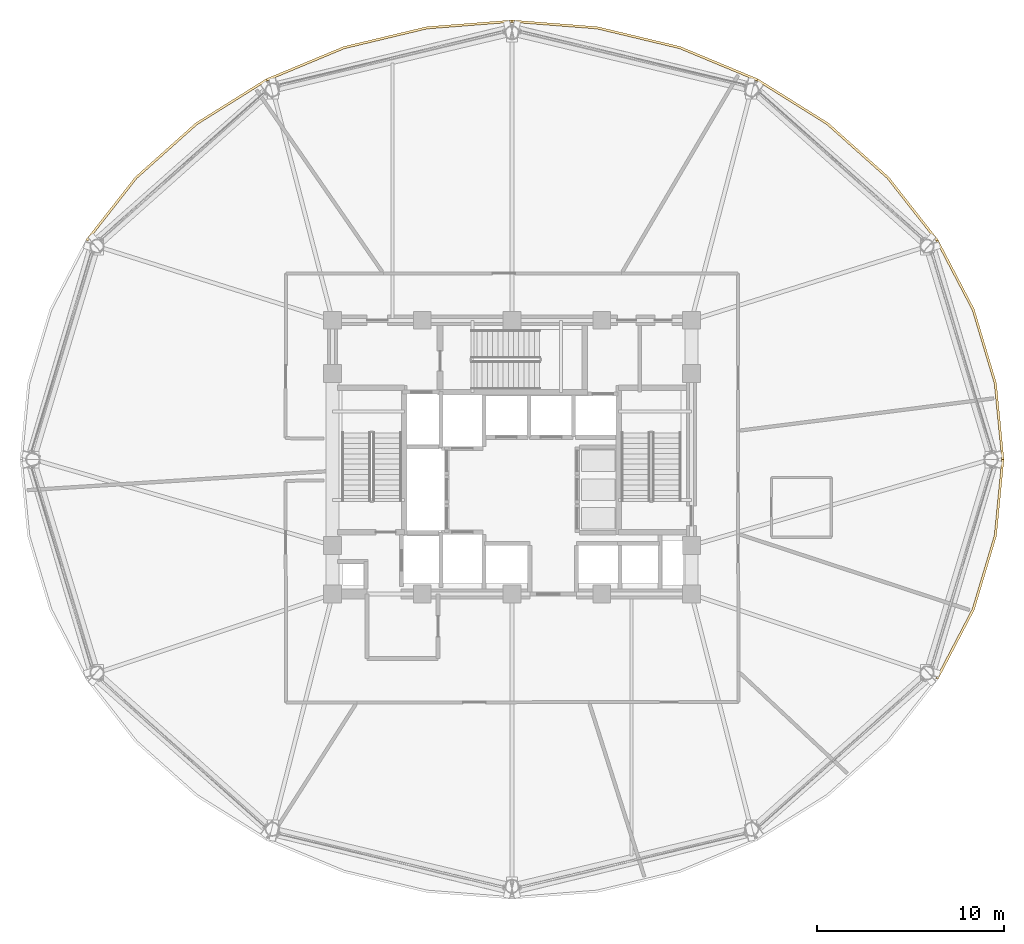
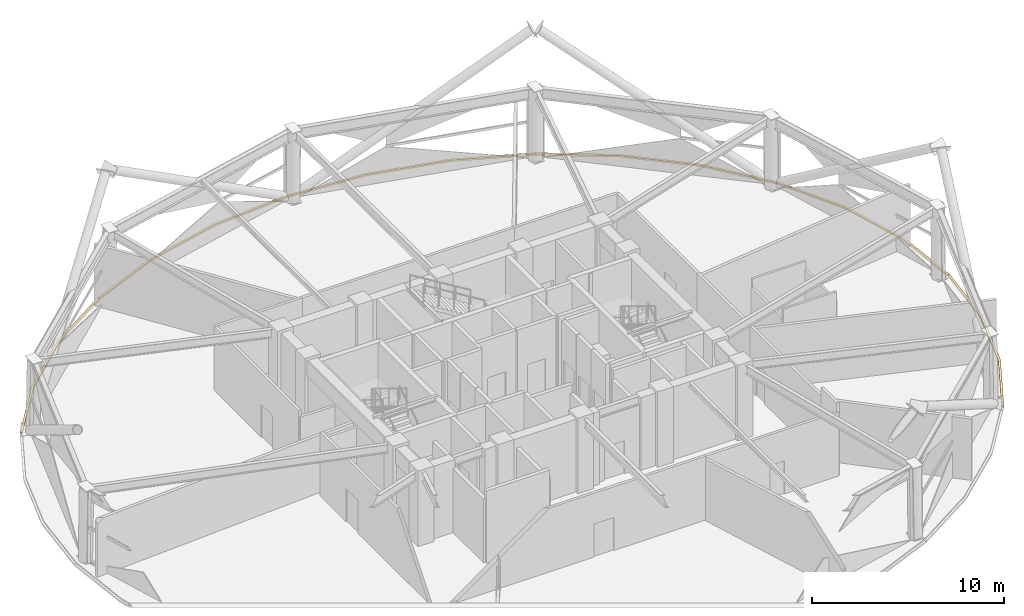
# One storey, part 16 of 17: 6 coverings.
"""IFC4 building model written with IfcOpenShell, lengths in metres."""

from ifc_helpers import new_model, si_unit, direction, frame, origin, place, context, subcontext, project, spatial, polyline, outline, extrude, material, layer, layer_set, type_object, element, save


model = new_model("IFC4")

# Units and contexts
model_context = context("Model", 3, precision=1e-05, world=origin(), true_north=direction((0.0, 1.0)))
body_context = subcontext(model_context, "Body", "Model", "MODEL_VIEW")
ifc_project = project(units=[si_unit("LENGTHUNIT", "METRE"), si_unit("AREAUNIT", "SQUARE_METRE"), si_unit("VOLUMEUNIT", "CUBIC_METRE"), si_unit("PLANEANGLEUNIT", "RADIAN"), si_unit("MASSUNIT", "GRAM", prefix="KILO")], contexts=[model_context])

# Site, building, storey
site_placement = place(None, origin())
site = spatial("IfcSite", under=ifc_project, at=site_placement, CompositionType="ELEMENT")
building_placement = place(site_placement, origin())
building = spatial("IfcBuilding", under=site, at=building_placement, Name="Vantalir Tower", CompositionType="ELEMENT")
storey_placement = place(building_placement, frame((0.0, 0.0, 96.14990234375)))
storey = spatial("IfcBuildingStorey", under=building, at=storey_placement, Name="L23", CompositionType="ELEMENT", Elevation=96.14990234375)

# Coverings
ifc_material = material(Name="Anodised champagne aluminium sill fascia", Category="aluminium")
ifc_layer = layer(ifc_material, 0.125)
ifc_layer_set = layer_set([ifc_layer], Name="Anodised champagne aluminium sill fascia")
covering_type = type_object("IfcCoveringType", Name="COV-SLAB-FASCIA-125", PredefinedType="CLADDING", material=ifc_layer_set)
covering_1_placement = place(storey_placement, frame((0.0, 0.0, -0.179931640625)))
element("IfcCovering", 1, at=covering_1_placement, inside=storey, type_object=covering_type, Name="L23 Perimeter Slab-Edge Sill Fascia 01", PredefinedType="CLADDING", context=body_context, shape_type="SweptSolid", body=[
    extrude(outline(polyline([(57.824951171875, 25.0), (57.425048828125, 29.083984375), (56.237060546875, 33.0439453125), (54.298095703125, 36.759033203125), (54.18994140625, 36.696044921875), (56.1201171875, 33.0009765625), (57.302001953125, 29.06201171875), (57.699951171875, 25.0), (57.824951171875, 25.0)])), origin(), (0.0, 0.0, 1.0), 0.10498046875),
])
covering_2_placement = place(storey_placement, frame((0.0, 0.0, -0.179931640625)))
element("IfcCovering", 2, at=covering_2_placement, inside=storey, type_object=covering_type, Name="L23 Perimeter Slab-Edge Sill Fascia 02", PredefinedType="CLADDING", context=body_context, shape_type="SweptSolid", body=[
    extrude(outline(polyline([(54.298095703125, 36.759033203125), (51.666015625, 40.116943359375), (48.4208984375, 43.01611328125), (44.6630859375, 45.366943359375), (44.60009765625, 45.259033203125), (48.341064453125, 42.919921875), (51.570068359375, 40.037109375), (54.18994140625, 36.696044921875), (54.298095703125, 36.759033203125)])), origin(), (0.0, 0.0, 1.0), 0.10498046875),
])
covering_3_placement = place(storey_placement, frame((0.0, 0.0, -0.179931640625)))
element("IfcCovering", 3, at=covering_3_placement, inside=storey, type_object=covering_type, Name="L23 Perimeter Slab-Edge Sill Fascia 03", PredefinedType="CLADDING", context=body_context, shape_type="SweptSolid", body=[
    extrude(outline(polyline([(44.6630859375, 45.366943359375), (40.50390625, 47.10009765625), (36.071044921875, 48.160888671875), (31.5, 48.51806640625), (31.5, 48.39306640625), (36.050048828125, 48.0380859375), (40.4609375, 46.98193359375), (44.60009765625, 45.259033203125), (44.6630859375, 45.366943359375)])), origin(), (0.0, 0.0, 1.0), 0.10498046875),
])
covering_4_placement = place(storey_placement, frame((0.0, 0.0, -0.179931640625)))
element("IfcCovering", 4, at=covering_4_placement, inside=storey, type_object=covering_type, Name="L23 Perimeter Slab-Edge Sill Fascia 04", PredefinedType="CLADDING", context=body_context, shape_type="SweptSolid", body=[
    extrude(outline(polyline([(31.5, 48.51806640625), (26.928955078125, 48.160888671875), (22.49609375, 47.10009765625), (18.337890625, 45.366943359375), (18.39990234375, 45.259033203125), (22.5390625, 46.98193359375), (26.949951171875, 48.0380859375), (31.5, 48.39306640625), (31.5, 48.51806640625)])), origin(), (0.0, 0.0, 1.0), 0.10498046875),
])
covering_5_placement = place(storey_placement, frame((0.0, 0.0, -0.179931640625)))
element("IfcCovering", 5, at=covering_5_placement, inside=storey, type_object=covering_type, Name="L23 Perimeter Slab-Edge Sill Fascia 05", PredefinedType="CLADDING", context=body_context, shape_type="SweptSolid", body=[
    extrude(outline(polyline([(18.337890625, 45.366943359375), (14.5791015625, 43.01611328125), (11.333984375, 40.116943359375), (8.701904296875, 36.759033203125), (8.81005859375, 36.696044921875), (11.429931640625, 40.037109375), (14.658935546875, 42.919921875), (18.39990234375, 45.259033203125), (18.337890625, 45.366943359375)])), origin(), (0.0, 0.0, 1.0), 0.10498046875),
])
covering_6_placement = place(storey_placement, frame((0.0, 0.0, -0.179931640625)))
element("IfcCovering", 6, at=covering_6_placement, inside=storey, type_object=covering_type, Name="L23 Perimeter Slab-Edge Sill Fascia 12", PredefinedType="CLADDING", context=body_context, shape_type="SweptSolid", body=[
    extrude(outline(polyline([(54.298095703125, 13.240966796875), (56.237060546875, 16.9560546875), (57.425048828125, 20.916015625), (57.824951171875, 25.0), (57.699951171875, 25.0), (57.302001953125, 20.93798828125), (56.1201171875, 16.9990234375), (54.18994140625, 13.302978515625), (54.298095703125, 13.240966796875)])), origin(), (0.0, 0.0, 1.0), 0.10498046875),
])

save(model, "model.ifc")
